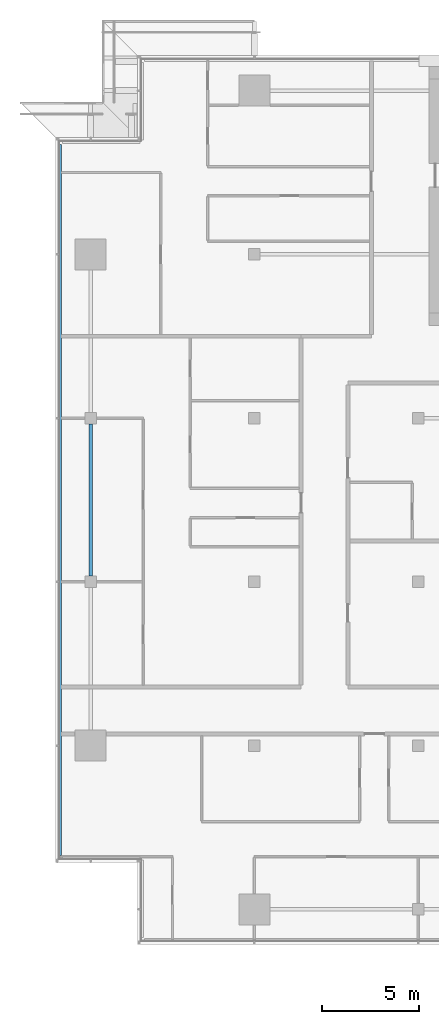
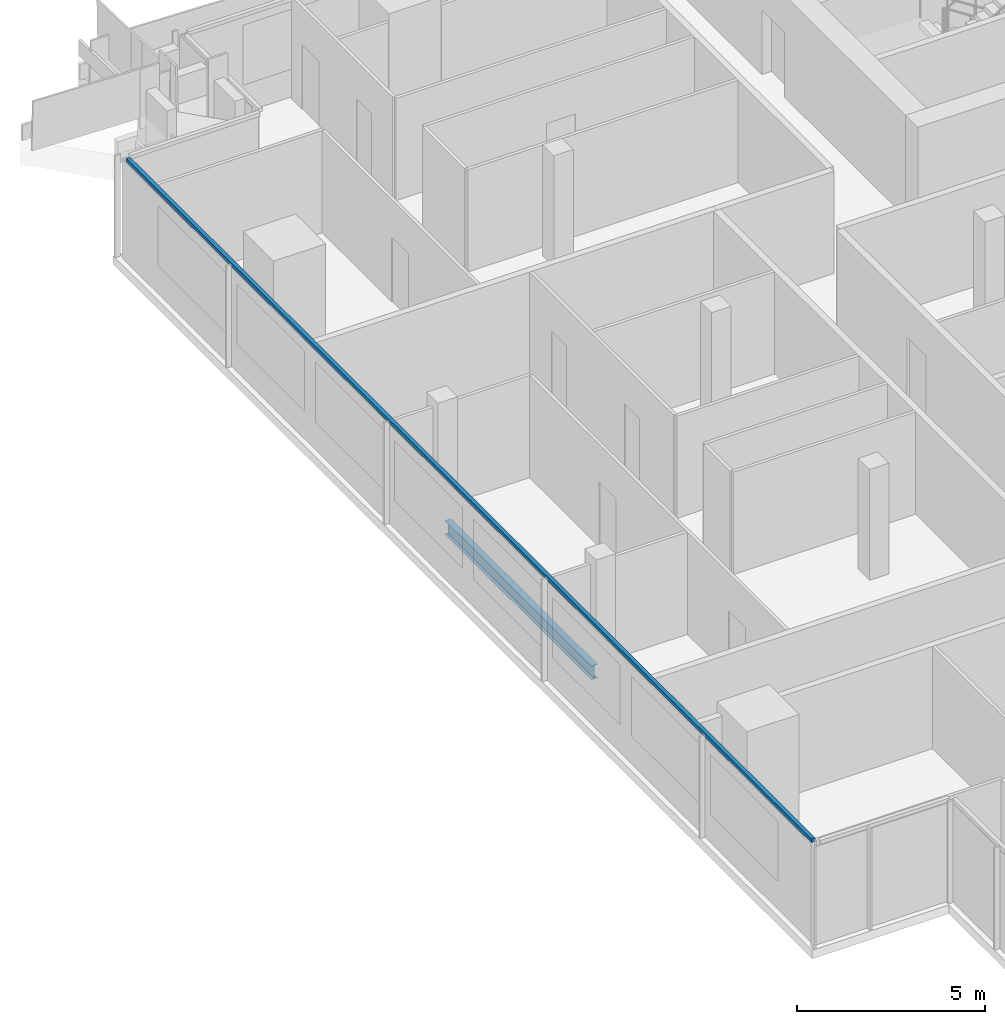
# One storey, part 5 of 30: 1 beam, 1 member, 1 element without a shape of its own.
"""IFC4 building model written with IfcOpenShell, lengths in metres."""

from ifc_helpers import new_model, si_unit, direction, frame, origin, origin_2d, place, context, subcontext, project, spatial, rectangle, i_section, extrude, material, material_profile, profile_set, type_object, element, aggregate, save


model = new_model("IFC4")

# Units and contexts
model_context = context("Model", 3, precision=1e-05, world=origin(), true_north=direction((0.0, 1.0)))
body_context = subcontext(model_context, "Body", "Model", "MODEL_VIEW")
ifc_project = project(units=[si_unit("LENGTHUNIT", "METRE"), si_unit("AREAUNIT", "SQUARE_METRE"), si_unit("VOLUMEUNIT", "CUBIC_METRE"), si_unit("PLANEANGLEUNIT", "RADIAN"), si_unit("MASSUNIT", "GRAM", prefix="KILO")], contexts=[model_context])

# Site, building, storey
site_placement = place(None, origin())
site = spatial("IfcSite", under=ifc_project, at=site_placement, CompositionType="ELEMENT")
building_placement = place(site_placement, origin())
building = spatial("IfcBuilding", under=site, at=building_placement, Name="Saffron Gate Tower", CompositionType="ELEMENT")
storey_placement = place(building_placement, frame((0.0, 0.0, 237.89990234375)))
storey = spatial("IfcBuildingStorey", under=building, at=storey_placement, Name="L58", CompositionType="ELEMENT", Elevation=237.89990234375)

# Beam
ifc_material_1 = material(Name="Structural steel S355", Category="steel")
ifc_material_profile_1 = material_profile(ifc_material_1, i_section(OverallWidth=0.18994140625, OverallDepth=0.449951171875, WebThickness=0.009521484375, FlangeThickness=0.0146484375, FilletRadius=0.02099609375, at=origin_2d()))
ifc_profile_set_1 = profile_set([ifc_material_profile_1], Name="Structural steel S355")
beam_type = type_object("IfcBeamType", Name="B7 IPE 450", PredefinedType="SPANDREL", material=ifc_profile_set_1)
beam_placement = place(storey_placement, frame((49.800048828125, 48.89990234375, -0.5048828125), z_axis=(0.0, 1.0, 0.0), x_axis=(-1.0, 0.0, 0.0)))
element("IfcBeam", 1, at=beam_placement, inside=storey, type_object=beam_type, Name="B7 SPANDREL BEAM", PredefinedType="SPANDREL", context=body_context, shape_type="SweptSolid", body=[
    extrude(i_section(OverallWidth=0.18994140625, OverallDepth=0.449951171875, WebThickness=0.009521484375, FlangeThickness=0.0146484375, FilletRadius=0.02099609375, at=origin_2d()), origin(), (0.0, 0.0, 1.0), 7.800048828125),
])

# Curtain wall, member
ifc_material_2 = material(Name="Aluminium, bronze anodised", Category="aluminium")
curtain_wall_type = type_object("IfcCurtainWallType", Name="CWS2 curtain wall side facades", PredefinedType="NOTDEFINED", material=ifc_material_2)
curtain_wall_placement = place(storey_placement, origin())
curtain_wall = element("IfcCurtainWall", 2, at=curtain_wall_placement, inside=storey, type_object=curtain_wall_type, Name="CWS2 run 10", PredefinedType="NOTDEFINED")
ifc_material_profile_2 = material_profile(ifc_material_2, rectangle(XDim=0.1201171875, YDim=0.1201171875, at=origin_2d()))
ifc_profile_set_2 = profile_set([ifc_material_profile_2], Name="Aluminium, bronze anodised")
member_type = type_object("IfcMemberType", Name="CWS2 head transom", PredefinedType="USERDEFINED", material=ifc_profile_set_2)
member_placement = place(storey_placement, frame((48.248046875, 71.031982421875, 3.260009765625), z_axis=(0.0, -1.0, 0.0), x_axis=(1.0, 0.0, 0.0)))
member = element("IfcMember", 3, at=member_placement, type_object=member_type, Name="CWS2 head transom", ObjectType="TRANSOM", PredefinedType="USERDEFINED", context=body_context, shape_type="SweptSolid", body=[
    extrude(rectangle(XDim=0.1201171875, YDim=0.1201171875, at=origin_2d()), origin(), (0.0, 0.0, 1.0), 36.4638671875),
])
aggregate(curtain_wall, [member])

save(model, "model.ifc")
